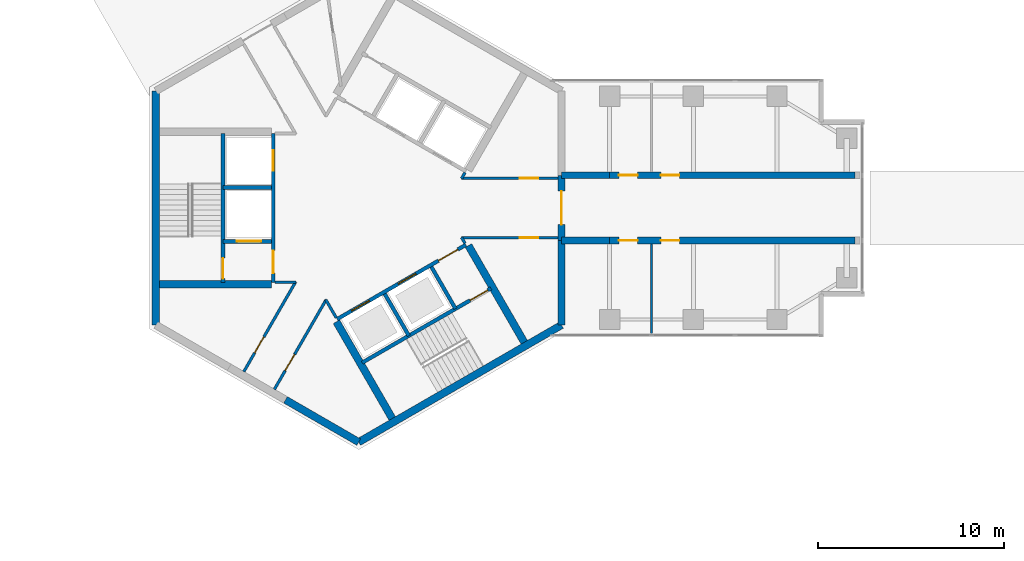
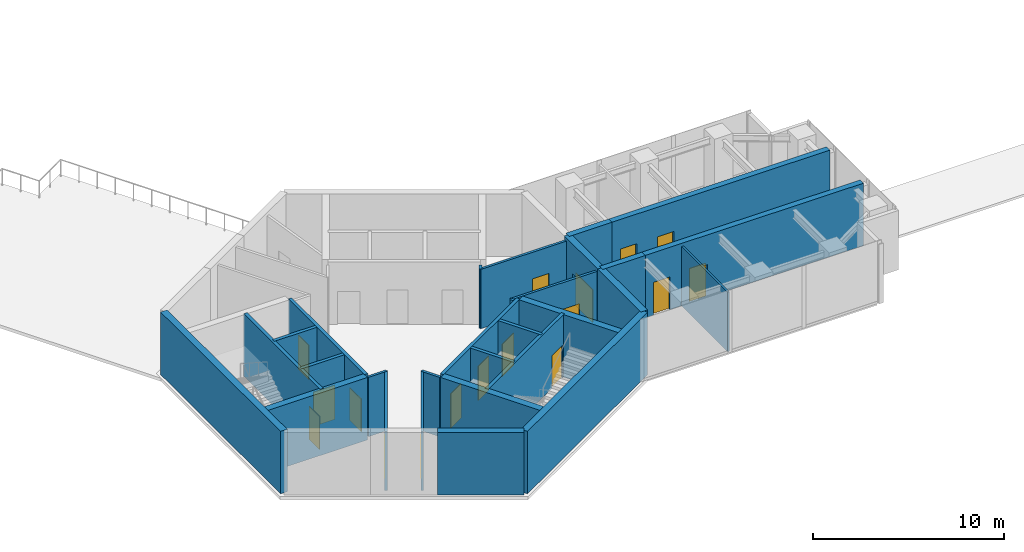
# One storey, part 5 of 11: 29 walls, 17 doors, 17 openings.
"""IFC4 building model written with IfcOpenShell, lengths in metres."""

from ifc_helpers import new_model, si_unit, direction, frame, frame_2d, origin, place, context, subcontext, project, spatial, rectangle, extrude, material, layer, layer_set, type_object, element, fill, save


model = new_model("IFC4")

# Units and contexts
model_context = context("Model", 3, precision=1e-05, world=origin(), true_north=direction((0.0, 1.0)))
body_context = subcontext(model_context, "Body", "Model", "MODEL_VIEW")
ifc_project = project(units=[si_unit("LENGTHUNIT", "METRE"), si_unit("AREAUNIT", "SQUARE_METRE"), si_unit("VOLUMEUNIT", "CUBIC_METRE"), si_unit("PLANEANGLEUNIT", "RADIAN"), si_unit("MASSUNIT", "GRAM", prefix="KILO")], contexts=[model_context])

# Site, building, storey
site_placement = place(None, origin())
site = spatial("IfcSite", under=ifc_project, at=site_placement, CompositionType="ELEMENT")
building_placement = place(site_placement, origin())
building = spatial("IfcBuilding", under=site, at=building_placement, Name="Upepo Twin Towers", CompositionType="ELEMENT")
storey_placement = place(building_placement, frame((0.0, 0.0, 243.5)))
storey = spatial("IfcBuildingStorey", under=building, at=storey_placement, Name="L59", CompositionType="ELEMENT", Elevation=243.5)

# Wall
ifc_material_1 = material(Name="Concrete C60/75", Category="concrete")
ifc_layer_1 = layer(ifc_material_1, 0.35009765625)
ifc_layer_set_1 = layer_set([ifc_layer_1], Name="Concrete C60/75")
wall_type_1 = type_object("IfcWallType", Name="Buttress wall 350 RC", PredefinedType="SHEAR", material=ifc_layer_set_1)
wall_1_placement = place(storey_placement, frame((10.908447265625, 1.75, 0.0), z_axis=(0.0, 0.0, 1.0), x_axis=(1.0, 0.0, 0.0)))
element("IfcWall", 1, at=wall_1_placement, inside=storey, type_object=wall_type_1, Name="T1 wing A buttress wall L", PredefinedType="SHEAR", context=body_context, shape_type="SweptSolid", body=[
    extrude(rectangle(XDim=2.591552734375, YDim=0.35009765625, at=frame_2d((1.2958984375, 0.0))), origin(), (0.0, 0.0, 1.0), 4.0),
])

# Wall, openings, doors
wall_2_placement = place(storey_placement, frame((13.5, 1.75, 0.0), z_axis=(0.0, 0.0, 1.0), x_axis=(1.0, 0.0, 0.0)))
wall_2 = element("IfcWall", 2, at=wall_2_placement, inside=storey, type_object=wall_type_1, Name="T1 wing A buttress wall L part 2", PredefinedType="SHEAR", context=body_context, shape_type="SweptSolid", body=[
    extrude(rectangle(XDim=13.199951171875, YDim=0.35009765625, at=frame_2d((6.60009765625, 0.0))), origin(), (0.0, 0.0, 1.0), 4.0),
])
opening_1_placement = place(wall_2_placement, frame((0.5, 0.0, 0.0)))
opening_1 = element("IfcOpeningElement", 3, at=opening_1_placement, cuts=wall_2, Name="Opening D15", PredefinedType="OPENING", context=body_context, shape_type="SweptSolid", body=[
    extrude(rectangle(XDim=1.0, YDim=2.10009765625, at=frame_2d((0.5, 1.050048828125))), frame((0.0, 0.18505859375, 0.0), z_axis=(0.0, -1.0, 0.0), x_axis=(1.0, 0.0, 0.0)), (0.0, 0.0, 1.0), 0.3701171875),
])
opening_2_placement = place(wall_2_placement, frame((2.75, 0.0, 0.0)))
opening_2 = element("IfcOpeningElement", 4, at=opening_2_placement, cuts=wall_2, Name="Opening D15", PredefinedType="OPENING", context=body_context, shape_type="SweptSolid", body=[
    extrude(rectangle(XDim=1.0, YDim=2.10009765625, at=frame_2d((0.5, 1.050048828125))), frame((0.0, 0.18505859375, 0.0), z_axis=(0.0, -1.0, 0.0), x_axis=(1.0, 0.0, 0.0)), (0.0, 0.0, 1.0), 0.3701171875),
])
ifc_material_2 = material(Name="Timber doorset", Category="wood")
door_type_1 = type_object("IfcDoorType", Name="Glazed door 1000 FD30", OperationType="SINGLE_SWING_LEFT", PredefinedType="DOOR", material=ifc_material_2)
door_1_placement = place(opening_1_placement, origin())
door_1 = element("IfcDoor", 5, at=door_1_placement, inside=storey, type_object=door_type_1, Name="T1 L59 faculty office door", OperationType="SINGLE_SWING_LEFT", OverallHeight=2.10009765625, OverallWidth=1.0, PredefinedType="DOOR", context=body_context, shape_type="SweptSolid", body=[
    extrude(rectangle(XDim=1.0, YDim=2.10009765625, at=frame_2d((0.5, 1.050048828125))), frame((0.0, 0.02490234375, 0.0), z_axis=(0.0, -1.0, 0.0), x_axis=(1.0, 0.0, 0.0)), (0.0, 0.0, 1.0), 0.050048828125),
])
fill(opening_1, door_1)
door_2_placement = place(opening_2_placement, origin())
door_2 = element("IfcDoor", 6, at=door_2_placement, inside=storey, type_object=door_type_1, Name="T1 L59 student sky lounge door", OperationType="SINGLE_SWING_LEFT", OverallHeight=2.10009765625, OverallWidth=1.0, PredefinedType="DOOR", context=body_context, shape_type="SweptSolid", body=[
    extrude(rectangle(XDim=1.0, YDim=2.10009765625, at=frame_2d((0.5, 1.050048828125))), frame((0.0, 0.02490234375, 0.0), z_axis=(0.0, -1.0, 0.0), x_axis=(1.0, 0.0, 0.0)), (0.0, 0.0, 1.0), 0.050048828125),
])
fill(opening_2, door_2)

# Wall
wall_3_placement = place(storey_placement, frame((10.908447265625, -1.75, 0.0), z_axis=(0.0, 0.0, 1.0), x_axis=(1.0, 0.0, 0.0)))
element("IfcWall", 7, at=wall_3_placement, inside=storey, type_object=wall_type_1, Name="T1 wing A buttress wall R", PredefinedType="SHEAR", context=body_context, shape_type="SweptSolid", body=[
    extrude(rectangle(XDim=2.591552734375, YDim=0.35009765625, at=frame_2d((1.2958984375, 0.0))), origin(), (0.0, 0.0, 1.0), 4.0),
])

# Wall, openings, doors
wall_4_placement = place(storey_placement, frame((13.5, -1.75, 0.0), z_axis=(0.0, 0.0, 1.0), x_axis=(1.0, 0.0, 0.0)))
wall_4 = element("IfcWall", 8, at=wall_4_placement, inside=storey, type_object=wall_type_1, Name="T1 wing A buttress wall R part 2", PredefinedType="SHEAR", context=body_context, shape_type="SweptSolid", body=[
    extrude(rectangle(XDim=13.199951171875, YDim=0.35009765625, at=frame_2d((6.60009765625, 0.0))), origin(), (0.0, 0.0, 1.0), 4.0),
])
opening_3_placement = place(wall_4_placement, frame((0.5, 0.0, 0.0)))
opening_3 = element("IfcOpeningElement", 9, at=opening_3_placement, cuts=wall_4, Name="Opening D15", PredefinedType="OPENING", context=body_context, shape_type="SweptSolid", body=[
    extrude(rectangle(XDim=1.0, YDim=2.10009765625, at=frame_2d((0.5, 1.050048828125))), frame((0.0, 0.18505859375, 0.0), z_axis=(0.0, -1.0, 0.0), x_axis=(1.0, 0.0, 0.0)), (0.0, 0.0, 1.0), 0.3701171875),
])
opening_4_placement = place(wall_4_placement, frame((2.75, 0.0, 0.0)))
opening_4 = element("IfcOpeningElement", 10, at=opening_4_placement, cuts=wall_4, Name="Opening D15", PredefinedType="OPENING", context=body_context, shape_type="SweptSolid", body=[
    extrude(rectangle(XDim=1.0, YDim=2.10009765625, at=frame_2d((0.5, 1.050048828125))), frame((0.0, 0.18505859375, 0.0), z_axis=(0.0, -1.0, 0.0), x_axis=(1.0, 0.0, 0.0)), (0.0, 0.0, 1.0), 0.3701171875),
])
door_3_placement = place(opening_3_placement, origin())
door_3 = element("IfcDoor", 11, at=door_3_placement, inside=storey, type_object=door_type_1, Name="T1 L59 faculty office door", OperationType="SINGLE_SWING_LEFT", OverallHeight=2.10009765625, OverallWidth=1.0, PredefinedType="DOOR", context=body_context, shape_type="SweptSolid", body=[
    extrude(rectangle(XDim=1.0, YDim=2.10009765625, at=frame_2d((0.5, 1.050048828125))), frame((0.0, 0.02490234375, 0.0), z_axis=(0.0, -1.0, 0.0), x_axis=(1.0, 0.0, 0.0)), (0.0, 0.0, 1.0), 0.050048828125),
])
fill(opening_3, door_3)
door_4_placement = place(opening_4_placement, origin())
door_4 = element("IfcDoor", 12, at=door_4_placement, inside=storey, type_object=door_type_1, Name="T1 L59 postgraduate research office door", OperationType="SINGLE_SWING_LEFT", OverallHeight=2.10009765625, OverallWidth=1.0, PredefinedType="DOOR", context=body_context, shape_type="SweptSolid", body=[
    extrude(rectangle(XDim=1.0, YDim=2.10009765625, at=frame_2d((0.5, 1.050048828125))), frame((0.0, 0.02490234375, 0.0), z_axis=(0.0, -1.0, 0.0), x_axis=(1.0, 0.0, 0.0)), (0.0, 0.0, 1.0), 0.050048828125),
])
fill(opening_4, door_4)

# Wall
ifc_material_3 = material(Name="Concrete C60/75", Category="concrete")
ifc_layer_2 = layer(ifc_material_3, 0.39990234375)
ifc_layer_set_2 = layer_set([ifc_layer_2], Name="Concrete C60/75")
wall_type_2 = type_object("IfcWallType", Name="Core wall 400 RC", PredefinedType="SHEAR", material=ifc_layer_set_2)
wall_5_placement = place(storey_placement, frame((10.908447265625, -6.2978515625, 0.0), z_axis=(0.0, 0.0, 1.0), x_axis=(0.0, 1.0, 0.0)))
element("IfcWall", 13, at=wall_5_placement, inside=storey, type_object=wall_type_2, Name="T1 core wall 000 R", PredefinedType="SHEAR", context=body_context, shape_type="SweptSolid", body=[
    extrude(rectangle(XDim=4.5478515625, YDim=0.39990234375, at=frame_2d((2.27392578125, 0.0))), origin(), (0.0, 0.0, 1.0), 4.0),
])

# Wall, opening, door
wall_6_placement = place(storey_placement, frame((10.908447265625, -1.75, 0.0), z_axis=(0.0, 0.0, 1.0), x_axis=(0.0, 1.0, 0.0)))
wall_6 = element("IfcWall", 14, at=wall_6_placement, inside=storey, type_object=wall_type_2, Name="T1 core wall 000", PredefinedType="SHEAR", context=body_context, shape_type="SweptSolid", body=[
    extrude(rectangle(XDim=3.5, YDim=0.39990234375, at=frame_2d((1.75, 0.0))), origin(), (0.0, 0.0, 1.0), 4.0),
])
opening_5_placement = place(wall_6_placement, frame((0.85009765625, 0.0, 0.0)))
opening_5 = element("IfcOpeningElement", 15, at=opening_5_placement, cuts=wall_6, Name="Opening D2", PredefinedType="OPENING", context=body_context, shape_type="SweptSolid", body=[
    extrude(rectangle(XDim=1.800048828125, YDim=2.10009765625, at=frame_2d((0.89990234375, 1.050048828125))), frame((0.0, 0.2099609375, 0.0), z_axis=(0.0, -1.0, 0.0), x_axis=(1.0, 0.0, 0.0)), (0.0, 0.0, 1.0), 0.419921875),
])
ifc_material_4 = material(Name="Timber doorset", Category="wood")
door_type_2 = type_object("IfcDoorType", Name="Corridor double door 1800 FD60", OperationType="DOUBLE_DOOR_DOUBLE_SWING", PredefinedType="DOOR", material=ifc_material_4)
door_5_placement = place(opening_5_placement, origin())
door_5 = element("IfcDoor", 16, at=door_5_placement, inside=storey, type_object=door_type_2, Name="T1 L59 wing A corridor door", OperationType="DOUBLE_DOOR_DOUBLE_SWING", OverallHeight=2.10009765625, OverallWidth=1.800048828125, PredefinedType="DOOR", context=body_context, shape_type="SweptSolid", body=[
    extrude(rectangle(XDim=1.800048828125, YDim=2.10009765625, at=frame_2d((0.89990234375, 1.050048828125))), frame((0.0, 0.02490234375, 0.0), z_axis=(0.0, -1.0, 0.0), x_axis=(1.0, 0.0, 0.0)), (0.0, 0.0, 1.0), 0.050048828125),
])
fill(opening_5, door_5)

# Walls
wall_7_placement = place(storey_placement, frame((-10.908447265625, 6.2978515625, 0.0), z_axis=(0.0, 0.0, 1.0), x_axis=(0.0, -1.0, 0.0)))
element("IfcWall", 17, at=wall_7_placement, inside=storey, type_object=wall_type_2, Name="T1 core wall 180", PredefinedType="SHEAR", context=body_context, shape_type="SweptSolid", body=[
    extrude(rectangle(XDim=12.595703125, YDim=0.39990234375, at=frame_2d((6.2978515625, 0.0))), origin(), (0.0, 0.0, 1.0), 4.0),
])
wall_8_placement = place(storey_placement, frame((-3.938720703125, -10.32177734375, 0.0), z_axis=(0.0, 0.0, 1.0), x_axis=(0.866011268655, -0.500024481964, 0.0)))
element("IfcWall", 18, at=wall_8_placement, inside=storey, type_object=wall_type_2, Name="T1 core wall 240 L", PredefinedType="SHEAR", context=body_context, shape_type="SweptSolid", body=[
    extrude(rectangle(XDim=4.548095703125, YDim=0.39990234375, at=frame_2d((2.27392578125, 0.0))), origin(), (0.0, 0.0, 1.0), 4.0),
])
wall_9_placement = place(storey_placement, frame((0.0, -12.595947265625, 0.0), z_axis=(0.0, 0.0, 1.0), x_axis=(0.866021940709, 0.500005998175, 0.0)))
element("IfcWall", 19, at=wall_9_placement, inside=storey, type_object=wall_type_2, Name="T1 core wall 300", PredefinedType="SHEAR", context=body_context, shape_type="SweptSolid", body=[
    extrude(rectangle(XDim=12.595947265625, YDim=0.39990234375, at=frame_2d((6.2978515625, 0.0))), origin(), (0.0, 0.0, 1.0), 4.0),
])
ifc_material_5 = material(Name="Laminated glass in an aluminium frame", Category="aluminium")
ifc_layer_3 = layer(ifc_material_5, 0.1201171875)
ifc_layer_set_3 = layer_set([ifc_layer_3], Name="Glazed partition 120, aluminium framed")
wall_type_3 = type_object("IfcWallType", Name="Glazed partition 120, aluminium framed", PredefinedType="PARTITIONING", material=ifc_layer_set_3)
wall_10_placement = place(storey_placement, frame((15.75, -1.925048828125, 0.0), z_axis=(0.0, 0.0, 1.0), x_axis=(0.0, -1.0, 0.0)))
element("IfcWall", 20, at=wall_10_placement, inside=storey, type_object=wall_type_3, Name="T1 partition AR at 15.75", PredefinedType="PARTITIONING", context=body_context, shape_type="SweptSolid", body=[
    extrude(rectangle(XDim=4.824951171875, YDim=0.1201171875, at=frame_2d((2.41259765625, 0.0))), origin(), (0.0, 0.0, 1.0), 3.800048828125),
])

# Wall, openings, doors
ifc_material_6 = material(Name="Concrete C40/50", Category="concrete")
ifc_layer_4 = layer(ifc_material_6, 0.199951171875)
ifc_layer_set_4 = layer_set([ifc_layer_4], Name="Concrete C40/50")
wall_type_4 = type_object("IfcWallType", Name="Shaft wall 200 RC", PredefinedType="SHEAR", material=ifc_layer_set_4)
wall_11_placement = place(storey_placement, frame((-4.60009765625, 4.0, 0.0), z_axis=(0.0, 0.0, 1.0), x_axis=(0.0, -1.0, 0.0)))
wall_11 = element("IfcWall", 21, at=wall_11_placement, inside=storey, type_object=wall_type_4, Name="T1 core W180 front wall", PredefinedType="SHEAR", context=body_context, shape_type="SweptSolid", body=[
    extrude(rectangle(XDim=8.0, YDim=0.199951171875, at=frame_2d((4.0, 0.0))), origin(), (0.0, 0.0, 1.0), 4.0),
])
opening_6_placement = place(wall_11_placement, frame((6.300048828125, 0.0, 0.0)))
opening_6 = element("IfcOpeningElement", 22, at=opening_6_placement, cuts=wall_11, Name="Opening D4", PredefinedType="OPENING", context=body_context, shape_type="SweptSolid", body=[
    extrude(rectangle(XDim=1.199951171875, YDim=2.10009765625, at=frame_2d((0.60009765625, 1.050048828125))), frame((0.0, 0.10986328125, 0.0), z_axis=(0.0, -1.0, 0.0), x_axis=(1.0, 0.0, 0.0)), (0.0, 0.0, 1.0), 0.219970703125),
])
opening_7_placement = place(wall_11_placement, frame((0.89990234375, 0.0, 0.0)))
opening_7 = element("IfcOpeningElement", 23, at=opening_7_placement, cuts=wall_11, Name="Opening LD1", PredefinedType="OPENING", context=body_context, shape_type="SweptSolid", body=[
    extrude(rectangle(XDim=1.10009765625, YDim=2.199951171875, at=frame_2d((0.550048828125, 1.10009765625))), frame((0.0, 0.10986328125, 0.0), z_axis=(0.0, -1.0, 0.0), x_axis=(1.0, 0.0, 0.0)), (0.0, 0.0, 1.0), 0.219970703125),
])
ifc_material_7 = material(Name="Steel doorset", Category="steel")
door_type_3 = type_object("IfcDoorType", Name="Lift landing door 1100", OperationType="DOUBLE_DOOR_SLIDING", PredefinedType="DOOR", material=ifc_material_7)
door_6_placement = place(opening_7_placement, origin())
door_6 = element("IfcDoor", 24, at=door_6_placement, inside=storey, type_object=door_type_3, Name="T1 L59 lift SV1 landing door", OperationType="DOUBLE_DOOR_SLIDING", OverallHeight=2.199951171875, OverallWidth=1.10009765625, PredefinedType="DOOR", context=body_context, shape_type="SweptSolid", body=[
    extrude(rectangle(XDim=1.10009765625, YDim=2.199951171875, at=frame_2d((0.550048828125, 1.10009765625))), frame((0.0, 0.02490234375, 0.0), z_axis=(0.0, -1.0, 0.0), x_axis=(1.0, 0.0, 0.0)), (0.0, 0.0, 1.0), 0.050048828125),
])
fill(opening_7, door_6)
ifc_material_8 = material(Name="Timber doorset", Category="wood")
door_type_4 = type_object("IfcDoorType", Name="Lobby door 1200 FD60", OperationType="SINGLE_SWING_LEFT", PredefinedType="DOOR", material=ifc_material_8)
door_7_placement = place(opening_6_placement, origin())
door_7 = element("IfcDoor", 25, at=door_7_placement, inside=storey, type_object=door_type_4, Name="T1 L59 W180 lobby door", OperationType="SINGLE_SWING_RIGHT", OverallHeight=2.10009765625, OverallWidth=1.199951171875, PredefinedType="DOOR", context=body_context, shape_type="SweptSolid", body=[
    extrude(rectangle(XDim=1.199951171875, YDim=2.10009765625, at=frame_2d((0.60009765625, 1.050048828125))), frame((0.0, 0.02490234375, 0.0), z_axis=(0.0, -1.0, 0.0), x_axis=(1.0, 0.0, 0.0)), (0.0, 0.0, 1.0), 0.050048828125),
])
fill(opening_6, door_7)

# Wall
wall_12_placement = place(storey_placement, frame((-4.699951171875, 1.10009765625, 0.0), z_axis=(0.0, 0.0, 1.0), x_axis=(-1.0, 0.0, 0.0)))
element("IfcWall", 26, at=wall_12_placement, inside=storey, type_object=wall_type_4, Name="T1 core W180 shaft divider", PredefinedType="SHEAR", context=body_context, shape_type="SweptSolid", body=[
    extrude(rectangle(XDim=2.60009765625, YDim=0.199951171875, at=frame_2d((1.300048828125, 0.0))), origin(), (0.0, 0.0, 1.0), 4.0),
])

# Wall, opening, door
wall_13_placement = place(storey_placement, frame((-4.699951171875, -1.800048828125, 0.0), z_axis=(0.0, 0.0, 1.0), x_axis=(-1.0, 0.0, 0.0)))
wall_13 = element("IfcWall", 27, at=wall_13_placement, inside=storey, type_object=wall_type_4, Name="T1 core W180 lobby wall", PredefinedType="SHEAR", context=body_context, shape_type="SweptSolid", body=[
    extrude(rectangle(XDim=2.60009765625, YDim=0.199951171875, at=frame_2d((1.300048828125, 0.0))), origin(), (0.0, 0.0, 1.0), 4.0),
])
opening_8_placement = place(wall_13_placement, frame((0.550048828125, 0.0, 0.0)))
opening_8 = element("IfcOpeningElement", 28, at=opening_8_placement, cuts=wall_13, Name="Opening LD2", PredefinedType="OPENING", context=body_context, shape_type="SweptSolid", body=[
    extrude(rectangle(XDim=1.300048828125, YDim=2.199951171875, at=frame_2d((0.64990234375, 1.10009765625))), frame((0.0, 0.10986328125, 0.0), z_axis=(0.0, -1.0, 0.0), x_axis=(1.0, 0.0, 0.0)), (0.0, 0.0, 1.0), 0.219970703125),
])
ifc_material_9 = material(Name="Steel doorset", Category="steel")
door_type_5 = type_object("IfcDoorType", Name="Firefighting lift landing door 1300", OperationType="DOUBLE_DOOR_SLIDING", PredefinedType="DOOR", material=ifc_material_9)
door_8_placement = place(opening_8_placement, origin())
door_8 = element("IfcDoor", 29, at=door_8_placement, inside=storey, type_object=door_type_5, Name="T1 L59 firefighting lift landing door", OperationType="DOUBLE_DOOR_SLIDING", OverallHeight=2.199951171875, OverallWidth=1.300048828125, PredefinedType="DOOR", context=body_context, shape_type="SweptSolid", body=[
    extrude(rectangle(XDim=1.300048828125, YDim=2.199951171875, at=frame_2d((0.64990234375, 1.10009765625))), frame((0.0, 0.02490234375, 0.0), z_axis=(0.0, -1.0, 0.0), x_axis=(1.0, 0.0, 0.0)), (0.0, 0.0, 1.0), 0.050048828125),
])
fill(opening_8, door_8)

wall_14_placement = place(storey_placement, frame((-7.300048828125, 4.0, 0.0), z_axis=(0.0, 0.0, 1.0), x_axis=(0.0, -1.0, 0.0)))
wall_14 = element("IfcWall", 30, at=wall_14_placement, inside=storey, type_object=wall_type_4, Name="T1 core W180 stair wall", PredefinedType="SHEAR", context=body_context, shape_type="SweptSolid", body=[
    extrude(rectangle(XDim=8.0, YDim=0.199951171875, at=frame_2d((4.0, 0.0))), origin(), (0.0, 0.0, 1.0), 4.0),
])
opening_9_placement = place(wall_14_placement, frame((6.699951171875, 0.0, 0.0)))
opening_9 = element("IfcOpeningElement", 31, at=opening_9_placement, cuts=wall_14, Name="Opening D3", PredefinedType="OPENING", context=body_context, shape_type="SweptSolid", body=[
    extrude(rectangle(XDim=1.10009765625, YDim=2.10009765625, at=frame_2d((0.550048828125, 1.050048828125))), frame((0.0, 0.10986328125, 0.0), z_axis=(0.0, -1.0, 0.0), x_axis=(1.0, 0.0, 0.0)), (0.0, 0.0, 1.0), 0.219970703125),
])
ifc_material_10 = material(Name="Timber doorset", Category="wood")
door_type_6 = type_object("IfcDoorType", Name="Stair door 1100 FD60", OperationType="SINGLE_SWING_LEFT", PredefinedType="DOOR", material=ifc_material_10)
door_9_placement = place(opening_9_placement, origin())
door_9 = element("IfcDoor", 32, at=door_9_placement, inside=storey, type_object=door_type_6, Name="T1 L59 stair door", OperationType="SINGLE_SWING_RIGHT", OverallHeight=2.10009765625, OverallWidth=1.10009765625, PredefinedType="DOOR", context=body_context, shape_type="SweptSolid", body=[
    extrude(rectangle(XDim=1.10009765625, YDim=2.10009765625, at=frame_2d((0.550048828125, 1.050048828125))), frame((0.0, 0.02490234375, 0.0), z_axis=(0.0, -1.0, 0.0), x_axis=(1.0, 0.0, 0.0)), (0.0, 0.0, 1.0), 0.050048828125),
])
fill(opening_9, door_9)

# Wall, openings, doors
wall_15_placement = place(storey_placement, frame((-1.1640625, -5.983642578125, 0.0), z_axis=(0.0, 0.0, 1.0), x_axis=(0.866026010844, 0.49999894854, 0.0)))
wall_15 = element("IfcWall", 33, at=wall_15_placement, inside=storey, type_object=wall_type_4, Name="T1 core W300 front wall", PredefinedType="SHEAR", context=body_context, shape_type="SweptSolid", body=[
    extrude(rectangle(XDim=8.0, YDim=0.199951171875, at=frame_2d((4.0, 0.0))), origin(), (0.0, 0.0, 1.0), 4.0),
])
opening_10_placement = place(wall_15_placement, frame((6.300048828125, 0.0, 0.0)))
opening_10 = element("IfcOpeningElement", 34, at=opening_10_placement, cuts=wall_15, Name="Opening D4", PredefinedType="OPENING", context=body_context, shape_type="SweptSolid", body=[
    extrude(rectangle(XDim=1.199951171875, YDim=2.10009765625, at=frame_2d((0.60009765625, 1.050048828125))), frame((0.0, 0.10986328125, 0.0), z_axis=(0.0, -1.0, 0.0), x_axis=(1.0, 0.0, 0.0)), (0.0, 0.0, 1.0), 0.219970703125),
])
opening_11_placement = place(wall_15_placement, frame((0.89990234375, 0.0, 0.0)))
opening_11 = element("IfcOpeningElement", 35, at=opening_11_placement, cuts=wall_15, Name="Opening LD1", PredefinedType="OPENING", context=body_context, shape_type="SweptSolid", body=[
    extrude(rectangle(XDim=1.10009765625, YDim=2.199951171875, at=frame_2d((0.550048828125, 1.10009765625))), frame((0.0, 0.10986328125, 0.0), z_axis=(0.0, -1.0, 0.0), x_axis=(1.0, 0.0, 0.0)), (0.0, 0.0, 1.0), 0.219970703125),
])
opening_12_placement = place(wall_15_placement, frame((3.800048828125, 0.0, 0.0)))
opening_12 = element("IfcOpeningElement", 36, at=opening_12_placement, cuts=wall_15, Name="Opening LD1", PredefinedType="OPENING", context=body_context, shape_type="SweptSolid", body=[
    extrude(rectangle(XDim=1.10009765625, YDim=2.199951171875, at=frame_2d((0.550048828125, 1.10009765625))), frame((0.0, 0.10986328125, 0.0), z_axis=(0.0, -1.0, 0.0), x_axis=(1.0, 0.0, 0.0)), (0.0, 0.0, 1.0), 0.219970703125),
])
door_10_placement = place(opening_11_placement, origin())
door_10 = element("IfcDoor", 37, at=door_10_placement, inside=storey, type_object=door_type_3, Name="T1 L59 lift TL1 landing door", OperationType="DOUBLE_DOOR_SLIDING", OverallHeight=2.199951171875, OverallWidth=1.10009765625, PredefinedType="DOOR", context=body_context, shape_type="SweptSolid", body=[
    extrude(rectangle(XDim=1.10009765625, YDim=2.199951171875, at=frame_2d((0.550048828125, 1.10009765625))), frame((0.0, 0.02490234375, 0.0), z_axis=(0.0, -1.0, 0.0), x_axis=(1.0, 0.0, 0.0)), (0.0, 0.0, 1.0), 0.050048828125),
])
fill(opening_11, door_10)
door_11_placement = place(opening_12_placement, origin())
door_11 = element("IfcDoor", 38, at=door_11_placement, inside=storey, type_object=door_type_3, Name="T1 L59 lift TL2 landing door", OperationType="DOUBLE_DOOR_SLIDING", OverallHeight=2.199951171875, OverallWidth=1.10009765625, PredefinedType="DOOR", context=body_context, shape_type="SweptSolid", body=[
    extrude(rectangle(XDim=1.10009765625, YDim=2.199951171875, at=frame_2d((0.550048828125, 1.10009765625))), frame((0.0, 0.02490234375, 0.0), z_axis=(0.0, -1.0, 0.0), x_axis=(1.0, 0.0, 0.0)), (0.0, 0.0, 1.0), 0.050048828125),
])
fill(opening_12, door_11)
door_12_placement = place(opening_10_placement, origin())
door_12 = element("IfcDoor", 39, at=door_12_placement, inside=storey, type_object=door_type_4, Name="T1 L59 W300 lobby door", OperationType="SINGLE_SWING_RIGHT", OverallHeight=2.10009765625, OverallWidth=1.199951171875, PredefinedType="DOOR", context=body_context, shape_type="SweptSolid", body=[
    extrude(rectangle(XDim=1.199951171875, YDim=2.10009765625, at=frame_2d((0.60009765625, 1.050048828125))), frame((0.0, 0.02490234375, 0.0), z_axis=(0.0, -1.0, 0.0), x_axis=(1.0, 0.0, 0.0)), (0.0, 0.0, 1.0), 0.050048828125),
])
fill(opening_10, door_12)

# Walls
wall_16_placement = place(storey_placement, frame((1.3974609375, -4.620361328125, 0.0), z_axis=(0.0, 0.0, 1.0), x_axis=(0.499936506574, -0.866062058628, 0.0)))
element("IfcWall", 40, at=wall_16_placement, inside=storey, type_object=wall_type_4, Name="T1 core W300 shaft divider", PredefinedType="SHEAR", context=body_context, shape_type="SweptSolid", body=[
    extrude(rectangle(XDim=2.599853515625, YDim=0.199951171875, at=frame_2d((1.2998046875, 0.0))), origin(), (0.0, 0.0, 1.0), 4.0),
])
wall_17_placement = place(storey_placement, frame((3.908935546875, -3.17041015625, 0.0), z_axis=(0.0, 0.0, 1.0), x_axis=(0.49997716683, -0.86603858612, 0.0)))
element("IfcWall", 41, at=wall_17_placement, inside=storey, type_object=wall_type_4, Name="T1 core W300 lobby wall", PredefinedType="SHEAR", context=body_context, shape_type="SweptSolid", body=[
    extrude(rectangle(XDim=2.599609375, YDim=0.199951171875, at=frame_2d((1.2998046875, 0.0))), origin(), (0.0, 0.0, 1.0), 4.0),
])

# Wall, opening, door
wall_18_placement = place(storey_placement, frame((0.185791015625, -8.322021484375, 0.0), z_axis=(0.0, 0.0, 1.0), x_axis=(0.866026010844, 0.49999894854, 0.0)))
wall_18 = element("IfcWall", 42, at=wall_18_placement, inside=storey, type_object=wall_type_4, Name="T1 core W300 stair wall", PredefinedType="SHEAR", context=body_context, shape_type="SweptSolid", body=[
    extrude(rectangle(XDim=8.0, YDim=0.199951171875, at=frame_2d((4.0, 0.0))), origin(), (0.0, 0.0, 1.0), 4.0),
])
opening_13_placement = place(wall_18_placement, frame((6.699951171875, 0.0, 0.0)))
opening_13 = element("IfcOpeningElement", 43, at=opening_13_placement, cuts=wall_18, Name="Opening D3", PredefinedType="OPENING", context=body_context, shape_type="SweptSolid", body=[
    extrude(rectangle(XDim=1.10009765625, YDim=2.10009765625, at=frame_2d((0.550048828125, 1.050048828125))), frame((0.0, 0.10986328125, 0.0), z_axis=(0.0, -1.0, 0.0), x_axis=(1.0, 0.0, 0.0)), (0.0, 0.0, 1.0), 0.219970703125),
])
door_13_placement = place(opening_13_placement, origin())
door_13 = element("IfcDoor", 44, at=door_13_placement, inside=storey, type_object=door_type_6, Name="T1 L59 stair door", OperationType="SINGLE_SWING_RIGHT", OverallHeight=2.10009765625, OverallWidth=1.10009765625, PredefinedType="DOOR", context=body_context, shape_type="SweptSolid", body=[
    extrude(rectangle(XDim=1.10009765625, YDim=2.10009765625, at=frame_2d((0.550048828125, 1.050048828125))), frame((0.0, 0.02490234375, 0.0), z_axis=(0.0, -1.0, 0.0), x_axis=(1.0, 0.0, 0.0)), (0.0, 0.0, 1.0), 0.050048828125),
])
fill(opening_13, door_13)

# Walls
ifc_material_11 = material(Name="Concrete C40/50", Category="concrete")
ifc_layer_5 = layer(ifc_material_11, 0.39990234375)
ifc_layer_set_5 = layer_set([ifc_layer_5], Name="Concrete C40/50")
wall_type_5 = type_object("IfcWallType", Name="Shaft wall 400 RC", PredefinedType="SHEAR", material=ifc_layer_set_5)
for number, where, z_axis, x_axis, name in (
    (45, (-4.699951171875, -4.10009765625, 0.0), (0.0, 0.0, 1.0), (-1.0, 0.0, 0.0), "T1 core W180 side wall N"),
    (46, (5.900634765625, -2.020263671875, 0.0), (0.0, 0.0, 1.0), (0.499997979876, -0.866026570101, 0.0), "T1 core W300 side wall N"),
    (47, (-1.20068359375, -6.120361328125, 0.0), (0.0, 0.0, 1.0), (0.499997979876, -0.866026570101, 0.0), "T1 core W300 side wall S"),
):
    element("IfcWall", number, at=place(storey_placement, frame(where, z_axis=z_axis, x_axis=x_axis)), inside=storey, type_object=wall_type_5, Name=name, PredefinedType="SHEAR", context=body_context, shape_type="SweptSolid", body=[
        extrude(rectangle(XDim=6.00830078125, YDim=0.39990234375, at=frame_2d((3.004150390625, 0.0))), origin(), (0.0, 0.0, 1.0), 4.0),
    ])
ifc_material_12 = material(Name="Gypsum board on steel studs", Category="steel")
ifc_layer_6 = layer(ifc_material_12, 0.14990234375)
ifc_layer_set_6 = layer_set([ifc_layer_6], Name="Teaching partition 150 acoustic")
wall_type_6 = type_object("IfcWallType", Name="Teaching partition 150 acoustic", PredefinedType="PARTITIONING", material=ifc_layer_set_6)
wall_19_placement = place(storey_placement, frame((-1.208984375, -5.90576171875, 0.0), z_axis=(0.0, 0.0, 1.0), x_axis=(-0.500111091428, 0.865961255618, 0.0)))
element("IfcWall", 48, at=wall_19_placement, inside=storey, type_object=wall_type_6, Name="T1 core room partition 1", PredefinedType="PARTITIONING", context=body_context, shape_type="SweptSolid", body=[
    extrude(rectangle(XDim=1.123779296875, YDim=0.14990234375, at=frame_2d((0.56201171875, 0.0))), origin(), (0.0, 0.0, 1.0), 3.800048828125),
])

# Wall, opening, door
wall_20_placement = place(storey_placement, frame((-1.7509765625, -4.9326171875, 0.0), z_axis=(0.0, 0.0, 1.0), x_axis=(-0.499980410194, -0.866036713669, 0.0)))
wall_20 = element("IfcWall", 49, at=wall_20_placement, inside=storey, type_object=wall_type_6, Name="T1 core room partition 2", PredefinedType="PARTITIONING", context=body_context, shape_type="SweptSolid", body=[
    extrude(rectangle(XDim=5.571044921875, YDim=0.14990234375, at=frame_2d((2.78564453125, 0.0))), origin(), (0.0, 0.0, 1.0), 3.800048828125),
])
opening_14_placement = place(wall_20_placement, frame((3.40576171875, 0.0, 0.0)))
opening_14 = element("IfcOpeningElement", 50, at=opening_14_placement, cuts=wall_20, Name="Opening D1", PredefinedType="OPENING", context=body_context, shape_type="SweptSolid", body=[
    extrude(rectangle(XDim=1.0, YDim=2.10009765625, at=frame_2d((0.5, 1.050048828125))), frame((0.0, 0.0849609375, 0.0), z_axis=(0.0, -1.0, 0.0), x_axis=(1.0, 0.0, 0.0)), (0.0, 0.0, 1.0), 0.169921875),
])
ifc_material_13 = material(Name="Timber doorset", Category="wood")
door_type_7 = type_object("IfcDoorType", Name="Room door 1000 FD30", OperationType="SINGLE_SWING_LEFT", PredefinedType="DOOR", material=ifc_material_13)
door_14_placement = place(opening_14_placement, origin())
door_14 = element("IfcDoor", 51, at=door_14_placement, inside=storey, type_object=door_type_7, Name="T1 L59 core room door K2", OperationType="SINGLE_SWING_RIGHT", OverallHeight=2.10009765625, OverallWidth=1.0, PredefinedType="DOOR", context=body_context, shape_type="SweptSolid", body=[
    extrude(rectangle(XDim=1.0, YDim=2.10009765625, at=frame_2d((0.5, 1.050048828125))), frame((0.0, 0.02490234375, 0.0), z_axis=(0.0, -1.0, 0.0), x_axis=(1.0, 0.0, 0.0)), (0.0, 0.0, 1.0), 0.050048828125),
])
fill(opening_14, door_14)

wall_21_placement = place(storey_placement, frame((-6.181884765625, -8.807373046875, 0.0), z_axis=(0.0, 0.0, 1.0), x_axis=(0.499980410194, 0.866036713669, 0.0)))
wall_21 = element("IfcWall", 52, at=wall_21_placement, inside=storey, type_object=wall_type_6, Name="T1 core room partition 3", PredefinedType="PARTITIONING", context=body_context, shape_type="SweptSolid", body=[
    extrude(rectangle(XDim=5.571044921875, YDim=0.14990234375, at=frame_2d((2.78564453125, 0.0))), origin(), (0.0, 0.0, 1.0), 3.800048828125),
])
opening_15_placement = place(wall_21_placement, frame((1.165283203125, 0.0, 0.0)))
opening_15 = element("IfcOpeningElement", 53, at=opening_15_placement, cuts=wall_21, Name="Opening D1", PredefinedType="OPENING", context=body_context, shape_type="SweptSolid", body=[
    extrude(rectangle(XDim=1.0, YDim=2.10009765625, at=frame_2d((0.5, 1.050048828125))), frame((0.0, 0.0849609375, 0.0), z_axis=(0.0, -1.0, 0.0), x_axis=(1.0, 0.0, 0.0)), (0.0, 0.0, 1.0), 0.169921875),
])
door_15_placement = place(opening_15_placement, origin())
door_15 = element("IfcDoor", 54, at=door_15_placement, inside=storey, type_object=door_type_7, Name="T1 L59 core room door K1", OperationType="SINGLE_SWING_LEFT", OverallHeight=2.10009765625, OverallWidth=1.0, PredefinedType="DOOR", context=body_context, shape_type="SweptSolid", body=[
    extrude(rectangle(XDim=1.0, YDim=2.10009765625, at=frame_2d((0.5, 1.050048828125))), frame((0.0, 0.02490234375, 0.0), z_axis=(0.0, -1.0, 0.0), x_axis=(1.0, 0.0, 0.0)), (0.0, 0.0, 1.0), 0.050048828125),
])
fill(opening_15, door_15)

# Walls
wall_22_placement = place(storey_placement, frame((-3.386474609375, -4.0, 0.0), z_axis=(0.0, 0.0, 1.0), x_axis=(-1.0, 0.0, 0.0)))
element("IfcWall", 55, at=wall_22_placement, inside=storey, type_object=wall_type_6, Name="T1 core room partition 4", PredefinedType="PARTITIONING", context=body_context, shape_type="SweptSolid", body=[
    extrude(rectangle(XDim=1.12353515625, YDim=0.14990234375, at=frame_2d((0.561767578125, 0.0))), origin(), (0.0, 0.0, 1.0), 3.800048828125),
])
wall_23_placement = place(storey_placement, frame((5.718994140625, 1.90576171875, 0.0), z_axis=(0.0, 0.0, 1.0), x_axis=(-0.499590185398, -0.866261881104, 0.0)))
element("IfcWall", 56, at=wall_23_placement, inside=storey, type_object=wall_type_6, Name="T1 core room partition 9", PredefinedType="PARTITIONING", context=body_context, shape_type="SweptSolid", body=[
    extrude(rectangle(XDim=0.372802734375, YDim=0.14990234375, at=frame_2d((0.1865234375, 0.0))), origin(), (0.0, 0.0, 1.0), 3.800048828125),
])

# Wall, opening, door
wall_24_placement = place(storey_placement, frame((5.522705078125, 1.60009765625, 0.0), z_axis=(0.0, 0.0, 1.0), x_axis=(1.0, 0.0, 0.0)))
wall_24 = element("IfcWall", 57, at=wall_24_placement, inside=storey, type_object=wall_type_6, Name="T1 core room partition 10", PredefinedType="PARTITIONING", context=body_context, shape_type="SweptSolid", body=[
    extrude(rectangle(XDim=5.195556640625, YDim=0.14990234375, at=frame_2d((2.59765625, 0.0))), origin(), (0.0, 0.0, 1.0), 3.800048828125),
])
opening_16_placement = place(wall_24_placement, frame((3.14306640625, 0.0, 0.0)))
opening_16 = element("IfcOpeningElement", 58, at=opening_16_placement, cuts=wall_24, Name="Opening D1", PredefinedType="OPENING", context=body_context, shape_type="SweptSolid", body=[
    extrude(rectangle(XDim=1.0, YDim=2.10009765625, at=frame_2d((0.5, 1.050048828125))), frame((0.0, 0.0849609375, 0.0), z_axis=(0.0, -1.0, 0.0), x_axis=(1.0, 0.0, 0.0)), (0.0, 0.0, 1.0), 0.169921875),
])
door_16_placement = place(opening_16_placement, origin())
door_16 = element("IfcDoor", 59, at=door_16_placement, inside=storey, type_object=door_type_7, Name="T1 L59 core room door K4", OperationType="SINGLE_SWING_RIGHT", OverallHeight=2.10009765625, OverallWidth=1.0, PredefinedType="DOOR", context=body_context, shape_type="SweptSolid", body=[
    extrude(rectangle(XDim=1.0, YDim=2.10009765625, at=frame_2d((0.5, 1.050048828125))), frame((0.0, 0.02490234375, 0.0), z_axis=(0.0, -1.0, 0.0), x_axis=(1.0, 0.0, 0.0)), (0.0, 0.0, 1.0), 0.050048828125),
])
fill(opening_16, door_16)

wall_25_placement = place(storey_placement, frame((10.71826171875, -1.60009765625, 0.0), z_axis=(0.0, 0.0, 1.0), x_axis=(-1.0, 0.0, 0.0)))
wall_25 = element("IfcWall", 60, at=wall_25_placement, inside=storey, type_object=wall_type_6, Name="T1 core room partition 11", PredefinedType="PARTITIONING", context=body_context, shape_type="SweptSolid", body=[
    extrude(rectangle(XDim=5.195556640625, YDim=0.14990234375, at=frame_2d((2.59765625, 0.0))), origin(), (0.0, 0.0, 1.0), 3.800048828125),
])
opening_17_placement = place(wall_25_placement, frame((1.052734375, 0.0, 0.0)))
opening_17 = element("IfcOpeningElement", 61, at=opening_17_placement, cuts=wall_25, Name="Opening D1", PredefinedType="OPENING", context=body_context, shape_type="SweptSolid", body=[
    extrude(rectangle(XDim=1.0, YDim=2.10009765625, at=frame_2d((0.5, 1.050048828125))), frame((0.0, 0.0849609375, 0.0), z_axis=(0.0, -1.0, 0.0), x_axis=(1.0, 0.0, 0.0)), (0.0, 0.0, 1.0), 0.169921875),
])
door_17_placement = place(opening_17_placement, origin())
door_17 = element("IfcDoor", 62, at=door_17_placement, inside=storey, type_object=door_type_7, Name="T1 L59 core room door K3", OperationType="SINGLE_SWING_LEFT", OverallHeight=2.10009765625, OverallWidth=1.0, PredefinedType="DOOR", context=body_context, shape_type="SweptSolid", body=[
    extrude(rectangle(XDim=1.0, YDim=2.10009765625, at=frame_2d((0.5, 1.050048828125))), frame((0.0, 0.02490234375, 0.0), z_axis=(0.0, -1.0, 0.0), x_axis=(1.0, 0.0, 0.0)), (0.0, 0.0, 1.0), 0.050048828125),
])
fill(opening_17, door_17)

# Wall
wall_26_placement = place(storey_placement, frame((5.53271484375, -1.582763671875, 0.0), z_axis=(0.0, 0.0, 1.0), x_axis=(0.499590185398, -0.866261881104, 0.0)))
element("IfcWall", 63, at=wall_26_placement, inside=storey, type_object=wall_type_6, Name="T1 core room partition 12", PredefinedType="PARTITIONING", context=body_context, shape_type="SweptSolid", body=[
    extrude(rectangle(XDim=0.372802734375, YDim=0.14990234375, at=frame_2d((0.1865234375, 0.0))), origin(), (0.0, 0.0, 1.0), 3.800048828125),
])

save(model, "model.ifc")
